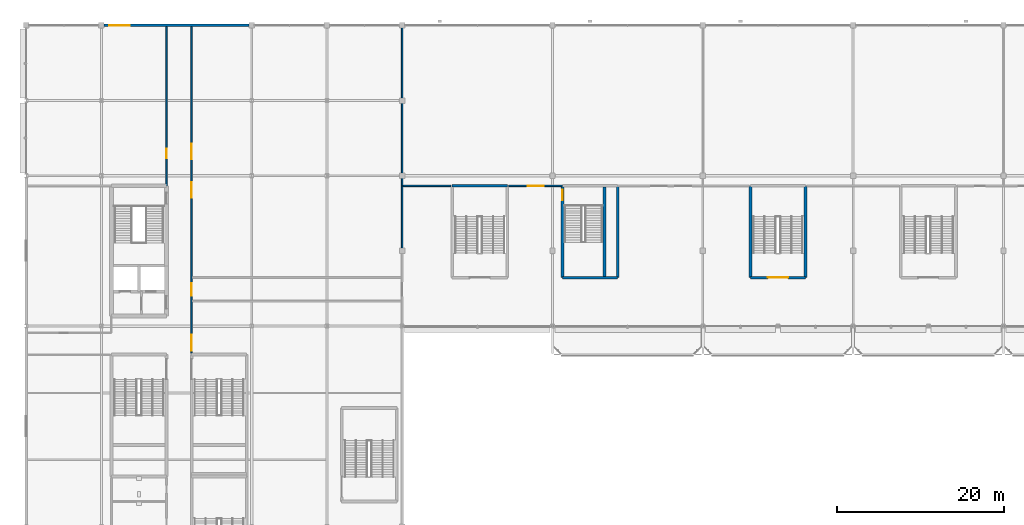
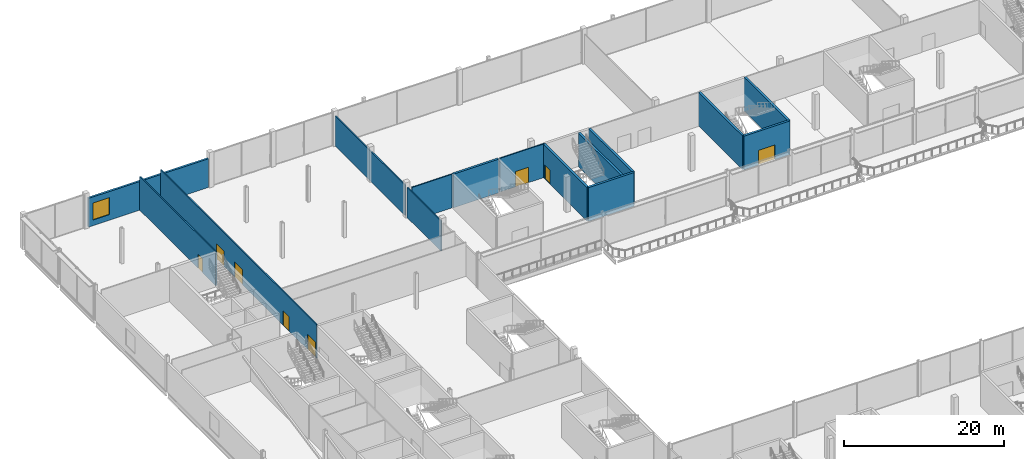
# One storey, part 67 of 113: 15 walls, 8 doors, 1 window, 9 openings.
"""IFC4 building model written with IfcOpenShell, lengths in metres."""

from ifc_helpers import new_model, si_unit, direction, frame, frame_2d, origin, place, context, subcontext, project, spatial, rectangle, extrude, material, layer, layer_set, type_object, element, fill, save


model = new_model("IFC4")

# Units and contexts
model_context = context("Model", 3, precision=1e-05, world=origin(), true_north=direction((0.0, 1.0)))
body_context = subcontext(model_context, "Body", "Model", "MODEL_VIEW")
ifc_project = project(units=[si_unit("LENGTHUNIT", "METRE"), si_unit("AREAUNIT", "SQUARE_METRE"), si_unit("VOLUMEUNIT", "CUBIC_METRE"), si_unit("PLANEANGLEUNIT", "RADIAN"), si_unit("MASSUNIT", "GRAM", prefix="KILO")], contexts=[model_context])

# Site, building, storey
site_placement = place(None, origin())
site = spatial("IfcSite", under=ifc_project, at=site_placement, CompositionType="ELEMENT")
building_placement = place(site_placement, origin())
building = spatial("IfcBuilding", under=site, at=building_placement, Name="Kisiwana Market Hall", CompositionType="ELEMENT")
storey_placement = place(building_placement, frame((0.0, 0.0, 6.0)))
storey = spatial("IfcBuildingStorey", under=building, at=storey_placement, Name="L01", CompositionType="ELEMENT", Elevation=6.0)

# Wall
ifc_material_1 = material(Name="Concrete C40/50", Category="concrete")
ifc_layer_1 = layer(ifc_material_1, 0.320068359375, Name="Reinforced concrete shaft wall")
ifc_layer_set_1 = layer_set([ifc_layer_1], Name="WL-CORE-320")
wall_type_1 = type_object("IfcWallType", Name="WL-CORE-320", PredefinedType="SHEAR", material=ifc_layer_set_1)
wall_1_placement = place(storey_placement, frame((64.199951171875, 89.800048828125, 0.0), z_axis=(0.0, 0.0, 1.0), x_axis=(1.0, 0.0, 0.0)))
element("IfcWall", 1, at=wall_1_placement, inside=storey, type_object=wall_type_1, Name="Core N1 south wall W-0719", PredefinedType="SHEAR", context=body_context, shape_type="SweptSolid", body=[
    extrude(rectangle(XDim=6.60009765625, YDim=0.320068359375, at=frame_2d((3.300048828125, 0.0))), origin(), (0.0, 0.0, 1.0), 5.14990234375),
])

# Wall, opening, door
wall_2_placement = place(storey_placement, frame((64.199951171875, 89.800048828125, 0.0), z_axis=(0.0, 0.0, 1.0), x_axis=(0.0, 1.0, 0.0)))
wall_2 = element("IfcWall", 2, at=wall_2_placement, inside=storey, type_object=wall_type_1, Name="Core N1 west wall W-0721", PredefinedType="SHEAR", context=body_context, shape_type="SweptSolid", body=[
    extrude(rectangle(XDim=11.0, YDim=0.320068359375, at=frame_2d((5.5, 0.0))), origin(), (0.0, 0.0, 1.0), 5.14990234375),
])
opening_1_placement = place(wall_2_placement, frame((9.25, 0.0, 0.0)))
opening_1 = element("IfcOpeningElement", 3, at=opening_1_placement, cuts=wall_2, Name="Opening DR-L01-016", PredefinedType="OPENING", context=body_context, shape_type="SweptSolid", body=[
    extrude(rectangle(XDim=1.300048828125, YDim=2.199951171875, at=frame_2d((0.64990234375, 1.10009765625))), frame((0.0, 0.171875, 0.0), z_axis=(0.0, -1.0, 0.0), x_axis=(1.0, 0.0, 0.0)), (0.0, 0.0, 1.0), 0.343994140625),
])
ifc_material_2 = material(Name="Steel S275", Category="steel")
door_type_1 = type_object("IfcDoorType", Name="DR-STAIR-FD120-1300", OperationType="NOTDEFINED", PredefinedType="DOOR", material=ifc_material_2)
door_1_placement = place(opening_1_placement, origin())
door_1 = element("IfcDoor", 4, at=door_1_placement, inside=storey, type_object=door_type_1, Name="Podium Escape Stair N1 Fire Door (L01)", OperationType="SINGLE_SWING_RIGHT", OverallHeight=2.199951171875, OverallWidth=1.300048828125, PredefinedType="DOOR", context=body_context, shape_type="SweptSolid", body=[
    extrude(rectangle(XDim=1.300048828125, YDim=2.199951171875, at=frame_2d((0.64990234375, 1.10009765625))), frame((0.0, 0.02490234375, 0.0), z_axis=(0.0, -1.0, 0.0), x_axis=(1.0, 0.0, 0.0)), (0.0, 0.0, 1.0), 0.050048828125),
])
fill(opening_1, door_1)

# Walls
wall_3_placement = place(storey_placement, frame((70.800048828125, 89.800048828125, 0.0), z_axis=(0.0, 0.0, 1.0), x_axis=(0.0, 1.0, 0.0)))
element("IfcWall", 5, at=wall_3_placement, inside=storey, type_object=wall_type_1, Name="Core N1 east wall W-0722", PredefinedType="SHEAR", context=body_context, shape_type="SweptSolid", body=[
    extrude(rectangle(XDim=11.0, YDim=0.320068359375, at=frame_2d((5.5, 0.0))), origin(), (0.0, 0.0, 1.0), 5.14990234375),
])
wall_4_placement = place(storey_placement, frame((69.219970703125, 89.9599609375, 0.0), z_axis=(0.0, 0.0, 1.0), x_axis=(0.0, 1.0, 0.0)))
element("IfcWall", 6, at=wall_4_placement, inside=storey, type_object=wall_type_1, Name="Core N1 shaft divider W-0723", PredefinedType="SHEAR", context=body_context, shape_type="SweptSolid", body=[
    extrude(rectangle(XDim=10.679931640625, YDim=0.320068359375, at=frame_2d((5.33984375, 0.0))), origin(), (0.0, 0.0, 1.0), 5.14990234375),
])
wall_5_placement = place(storey_placement, frame((51.0, 100.800048828125, 0.0), z_axis=(0.0, 0.0, 1.0), x_axis=(1.0, 0.0, 0.0)))
element("IfcWall", 7, at=wall_5_placement, inside=storey, type_object=wall_type_1, Name="Core N3 outer shear wall W-0799", PredefinedType="SHEAR", context=body_context, shape_type="SweptSolid", body=[
    extrude(rectangle(XDim=6.60009765625, YDim=0.320068359375, at=frame_2d((3.300048828125, 0.0))), origin(), (0.0, 0.0, 1.0), 5.14990234375),
])

# Wall, opening, door
wall_6_placement = place(storey_placement, frame((86.699951171875, 89.800048828125, 0.0), z_axis=(0.0, 0.0, 1.0), x_axis=(1.0, 0.0, 0.0)))
wall_6 = element("IfcWall", 8, at=wall_6_placement, inside=storey, type_object=wall_type_1, Name="Core N4 corridor shear wall W-0806", PredefinedType="SHEAR", context=body_context, shape_type="SweptSolid", body=[
    extrude(rectangle(XDim=6.60009765625, YDim=0.320068359375, at=frame_2d((3.300048828125, 0.0))), origin(), (0.0, 0.0, 1.0), 5.14990234375),
])
opening_2_placement = place(wall_6_placement, frame((2.10009765625, 0.0, 0.0)))
opening_2 = element("IfcOpeningElement", 9, at=opening_2_placement, cuts=wall_6, Name="Opening DR-L01-036", PredefinedType="OPENING", context=body_context, shape_type="SweptSolid", body=[
    extrude(rectangle(XDim=2.39990234375, YDim=2.25, at=frame_2d((1.199951171875, 1.125))), frame((0.0, 0.171875, 0.0), z_axis=(0.0, -1.0, 0.0), x_axis=(1.0, 0.0, 0.0)), (0.0, 0.0, 1.0), 0.343994140625),
])
ifc_material_3 = material(Name="Steel S275", Category="steel")
door_type_2 = type_object("IfcDoorType", Name="DR-STAIR-FD120-2400", OperationType="DOUBLE_DOOR_SINGLE_SWING", PredefinedType="DOOR", material=ifc_material_3)
door_2_placement = place(opening_2_placement, origin())
door_2 = element("IfcDoor", 10, at=door_2_placement, inside=storey, type_object=door_type_2, Name="Escape Stair N4 Fire Door (L01)", OperationType="DOUBLE_DOOR_SINGLE_SWING", OverallHeight=2.25, OverallWidth=2.39990234375, PredefinedType="DOOR", context=body_context, shape_type="SweptSolid", body=[
    extrude(rectangle(XDim=2.39990234375, YDim=2.25, at=frame_2d((1.199951171875, 1.125))), frame((0.0, 0.02490234375, 0.0), z_axis=(0.0, -1.0, 0.0), x_axis=(1.0, 0.0, 0.0)), (0.0, 0.0, 1.0), 0.050048828125),
])
fill(opening_2, door_2)

# Walls
for number, where, z_axis, x_axis, name in (
    (11, (86.699951171875, 89.800048828125, 0.0), (0.0, 0.0, 1.0), (0.0, 1.0, 0.0), "Core N4 west shear wall W-0808"),
    (12, (93.300048828125, 89.800048828125, 0.0), (0.0, 0.0, 1.0), (0.0, 1.0, 0.0), "Core N4 east shear wall W-0809"),
):
    element("IfcWall", number, at=place(storey_placement, frame(where, z_axis=z_axis, x_axis=x_axis)), inside=storey, type_object=wall_type_1, Name=name, PredefinedType="SHEAR", context=body_context, shape_type="SweptSolid", body=[
        extrude(rectangle(XDim=11.0, YDim=0.320068359375, at=frame_2d((5.5, 0.0))), origin(), (0.0, 0.0, 1.0), 5.14990234375),
    ])

# Wall, opening, door
ifc_material_4 = material(Name="Masonry blockwork", Category="masonry")
ifc_layer_2 = layer(ifc_material_4, 0.169921875, Name="Protected corridor partition")
ifc_layer_set_2 = layer_set([ifc_layer_2], Name="WL-CORR-170")
wall_type_2 = type_object("IfcWallType", Name="WL-CORR-170", PredefinedType="PARTITIONING", material=ifc_layer_set_2)
wall_7_placement = place(storey_placement, frame((16.800048828125, 100.800048828125, 0.0), z_axis=(0.0, 0.0, 1.0), x_axis=(0.0, 1.0, 0.0)))
wall_7 = element("IfcWall", 13, at=wall_7_placement, inside=storey, type_object=wall_type_2, Name="Interior partition W-0859", PredefinedType="PARTITIONING", context=body_context, shape_type="SweptSolid", body=[
    extrude(rectangle(XDim=19.04248046875, YDim=0.169921875, at=frame_2d((9.521240234375, 0.0))), origin(), (0.0, 0.0, 1.0), 5.14990234375),
])
opening_3_placement = place(wall_7_placement, frame((3.300048828125, 0.0, 0.0)))
opening_3 = element("IfcOpeningElement", 14, at=opening_3_placement, cuts=wall_7, Name="Opening DR-L01-048", PredefinedType="OPENING", context=body_context, shape_type="SweptSolid", body=[
    extrude(rectangle(XDim=1.14990234375, YDim=2.14990234375, at=frame_2d((0.574951171875, 1.074951171875))), frame((0.0, 0.096923828125, 0.0), z_axis=(0.0, -1.0, 0.0), x_axis=(1.0, 0.0, 0.0)), (0.0, 0.0, 1.0), 0.19384765625),
])
ifc_material_5 = material(Name="Aluminium alloy 6063-T6", Category="aluminium")
door_type_3 = type_object("IfcDoorType", Name="DR-MEET-1150", OperationType="NOTDEFINED", PredefinedType="DOOR", material=ifc_material_5)
door_3_placement = place(opening_3_placement, origin())
door_3 = element("IfcDoor", 15, at=door_3_placement, inside=storey, type_object=door_type_3, Name="L01 W Corner Office Suite North Door", OperationType="SINGLE_SWING_LEFT", OverallHeight=2.14990234375, OverallWidth=1.14990234375, PredefinedType="DOOR", context=body_context, shape_type="SweptSolid", body=[
    extrude(rectangle(XDim=1.14990234375, YDim=2.14990234375, at=frame_2d((0.574951171875, 1.074951171875))), frame((0.0, 0.02490234375, 0.0), z_axis=(0.0, -1.0, 0.0), x_axis=(1.0, 0.0, 0.0)), (0.0, 0.0, 1.0), 0.050048828125),
])
fill(opening_3, door_3)

# Wall, openings, doors
wall_8_placement = place(storey_placement, frame((19.800048828125, 80.760009765625, 0.0), z_axis=(0.0, 0.0, 1.0), x_axis=(0.0, 1.0, 0.0)))
wall_8 = element("IfcWall", 16, at=wall_8_placement, inside=storey, type_object=wall_type_2, Name="Interior partition W-0866", PredefinedType="PARTITIONING", context=body_context, shape_type="SweptSolid", body=[
    extrude(rectangle(XDim=39.08251953125, YDim=0.169921875, at=frame_2d((19.541259765625, 0.0))), origin(), (0.0, 0.0, 1.0), 5.14990234375),
])
opening_4_placement = place(wall_8_placement, frame((6.89111328125, 0.0, 0.0)))
opening_4 = element("IfcOpeningElement", 17, at=opening_4_placement, cuts=wall_8, Name="Opening DR-L01-053", PredefinedType="OPENING", context=body_context, shape_type="SweptSolid", body=[
    extrude(rectangle(XDim=1.5, YDim=2.199951171875, at=frame_2d((0.75, 1.10009765625))), frame((0.0, 0.096923828125, 0.0), z_axis=(0.0, -1.0, 0.0), x_axis=(1.0, 0.0, 0.0)), (0.0, 0.0, 1.0), 0.19384765625),
])
opening_5_placement = place(wall_8_placement, frame((23.19091796875, 0.0, 0.0)))
opening_5 = element("IfcOpeningElement", 18, at=opening_5_placement, cuts=wall_8, Name="Opening DR-L01-054", PredefinedType="OPENING", context=body_context, shape_type="SweptSolid", body=[
    extrude(rectangle(XDim=1.89990234375, YDim=2.35009765625, at=frame_2d((0.949951171875, 1.175048828125))), frame((0.0, 0.096923828125, 0.0), z_axis=(0.0, -1.0, 0.0), x_axis=(1.0, 0.0, 0.0)), (0.0, 0.0, 1.0), 0.19384765625),
])
opening_6_placement = place(wall_8_placement, frame((18.591064453125, 0.0, 0.0)))
opening_6 = element("IfcOpeningElement", 19, at=opening_6_placement, cuts=wall_8, Name="Opening DR-L01-055", PredefinedType="OPENING", context=body_context, shape_type="SweptSolid", body=[
    extrude(rectangle(XDim=1.89990234375, YDim=2.35009765625, at=frame_2d((0.949951171875, 1.175048828125))), frame((0.0, 0.096923828125, 0.0), z_axis=(0.0, -1.0, 0.0), x_axis=(1.0, 0.0, 0.0)), (0.0, 0.0, 1.0), 0.19384765625),
])
opening_7_placement = place(wall_8_placement, frame((0.300048828125, 0.0, 0.0)))
opening_7 = element("IfcOpeningElement", 20, at=opening_7_placement, cuts=wall_8, Name="Opening DR-L01-056", PredefinedType="OPENING", context=body_context, shape_type="SweptSolid", body=[
    extrude(rectangle(XDim=1.89990234375, YDim=2.35009765625, at=frame_2d((0.949951171875, 1.175048828125))), frame((0.0, 0.096923828125, 0.0), z_axis=(0.0, -1.0, 0.0), x_axis=(1.0, 0.0, 0.0)), (0.0, 0.0, 1.0), 0.19384765625),
])
ifc_material_6 = material(Name="Steel S275", Category="steel")
door_type_4 = type_object("IfcDoorType", Name="DR-CORR-FD60-1500", OperationType="DOUBLE_DOOR_SINGLE_SWING", PredefinedType="DOOR", material=ifc_material_6)
door_4_placement = place(opening_4_placement, origin())
door_4 = element("IfcDoor", 21, at=door_4_placement, inside=storey, type_object=door_type_4, Name="L01 W North Mezzanine Link Corridor Door", OperationType="DOUBLE_DOOR_SINGLE_SWING", OverallHeight=2.199951171875, OverallWidth=1.5, PredefinedType="DOOR", context=body_context, shape_type="SweptSolid", body=[
    extrude(rectangle(XDim=1.5, YDim=2.199951171875, at=frame_2d((0.75, 1.10009765625))), frame((0.0, 0.02490234375, 0.0), z_axis=(0.0, -1.0, 0.0), x_axis=(1.0, 0.0, 0.0)), (0.0, 0.0, 1.0), 0.050048828125),
])
fill(opening_4, door_4)
ifc_material_7 = material(Name="Steel S275", Category="steel")
door_type_5 = type_object("IfcDoorType", Name="DR-HALL-1900", OperationType="DOUBLE_DOOR_SINGLE_SWING", PredefinedType="DOOR", material=ifc_material_7)
door_5_placement = place(opening_5_placement, frame((1.89990234375, 0.0, 0.0), z_axis=(0.0, 0.0, 1.0), x_axis=(-1.0, 0.0, 0.0)))
door_5 = element("IfcDoor", 22, at=door_5_placement, inside=storey, type_object=door_type_5, Name="L01 W Food Court North Dining Hall Door", OperationType="DOUBLE_DOOR_SINGLE_SWING", OverallHeight=2.35009765625, OverallWidth=1.89990234375, PredefinedType="DOOR", context=body_context, shape_type="SweptSolid", body=[
    extrude(rectangle(XDim=1.89990234375, YDim=2.35009765625, at=frame_2d((0.949951171875, 1.175048828125))), frame((0.0, 0.02490234375, 0.0), z_axis=(0.0, -1.0, 0.0), x_axis=(1.0, 0.0, 0.0)), (0.0, 0.0, 1.0), 0.050048828125),
])
fill(opening_5, door_5)
door_6_placement = place(opening_6_placement, frame((1.89990234375, 0.0, 0.0), z_axis=(0.0, 0.0, 1.0), x_axis=(-1.0, 0.0, 0.0)))
door_6 = element("IfcDoor", 23, at=door_6_placement, inside=storey, type_object=door_type_5, Name="L01 W Hawker Culinary Gallery Door", OperationType="DOUBLE_DOOR_SINGLE_SWING", OverallHeight=2.35009765625, OverallWidth=1.89990234375, PredefinedType="DOOR", context=body_context, shape_type="SweptSolid", body=[
    extrude(rectangle(XDim=1.89990234375, YDim=2.35009765625, at=frame_2d((0.949951171875, 1.175048828125))), frame((0.0, 0.02490234375, 0.0), z_axis=(0.0, -1.0, 0.0), x_axis=(1.0, 0.0, 0.0)), (0.0, 0.0, 1.0), 0.050048828125),
])
fill(opening_6, door_6)
door_7_placement = place(opening_7_placement, frame((1.89990234375, 0.0, 0.0), z_axis=(0.0, 0.0, 1.0), x_axis=(-1.0, 0.0, 0.0)))
door_7 = element("IfcDoor", 24, at=door_7_placement, inside=storey, type_object=door_type_5, Name="L01 W Central Dishwashing and Servery Door", OperationType="DOUBLE_DOOR_SINGLE_SWING", OverallHeight=2.35009765625, OverallWidth=1.89990234375, PredefinedType="DOOR", context=body_context, shape_type="SweptSolid", body=[
    extrude(rectangle(XDim=1.89990234375, YDim=2.35009765625, at=frame_2d((0.949951171875, 1.175048828125))), frame((0.0, 0.02490234375, 0.0), z_axis=(0.0, -1.0, 0.0), x_axis=(1.0, 0.0, 0.0)), (0.0, 0.0, 1.0), 0.050048828125),
])
fill(opening_7, door_7)

# Walls
wall_9_placement = place(storey_placement, frame((45.0, 93.219970703125, 0.0), z_axis=(0.0, 0.0, 1.0), x_axis=(0.0, 1.0, 0.0)))
element("IfcWall", 25, at=wall_9_placement, inside=storey, type_object=wall_type_2, Name="Interior partition W-0871", PredefinedType="PARTITIONING", context=body_context, shape_type="SweptSolid", body=[
    extrude(rectangle(XDim=8.56005859375, YDim=0.169921875, at=frame_2d((4.280029296875, 0.0))), origin(), (0.0, 0.0, 1.0), 4.616943359375),
])
wall_10_placement = place(storey_placement, frame((45.0, 102.219970703125, 0.0), z_axis=(0.0, 0.0, 1.0), x_axis=(0.0, 1.0, 0.0)))
element("IfcWall", 26, at=wall_10_placement, inside=storey, type_object=wall_type_2, Name="Interior partition W-0872", PredefinedType="PARTITIONING", context=body_context, shape_type="SweptSolid", body=[
    extrude(rectangle(XDim=17.56005859375, YDim=0.169921875, at=frame_2d((8.780029296875, 0.0))), origin(), (0.0, 0.0, 1.0), 4.616943359375),
])
wall_11_placement = place(storey_placement, frame((45.0849609375, 100.800048828125, 0.0), z_axis=(0.0, 0.0, 1.0), x_axis=(1.0, 0.0, 0.0)))
element("IfcWall", 27, at=wall_11_placement, inside=storey, type_object=wall_type_2, Name="Interior partition W-0911", PredefinedType="PARTITIONING", context=body_context, shape_type="SweptSolid", body=[
    extrude(rectangle(XDim=5.755126953125, YDim=0.169921875, at=frame_2d((2.87744140625, 0.0))), origin(), (0.0, 0.0, 1.0), 5.14990234375),
])

# Wall, opening, door
wall_12_placement = place(storey_placement, frame((57.760009765625, 100.800048828125, 0.0), z_axis=(0.0, 0.0, 1.0), x_axis=(1.0, 0.0, 0.0)))
wall_12 = element("IfcWall", 28, at=wall_12_placement, inside=storey, type_object=wall_type_2, Name="Interior partition W-0912", PredefinedType="PARTITIONING", context=body_context, shape_type="SweptSolid", body=[
    extrude(rectangle(XDim=6.43994140625, YDim=0.169921875, at=frame_2d((3.219970703125, 0.0))), origin(), (0.0, 0.0, 1.0), 5.14990234375),
])
opening_8_placement = place(wall_12_placement, frame((2.27001953125, 0.0, 0.0)))
opening_8 = element("IfcOpeningElement", 29, at=opening_8_placement, cuts=wall_12, Name="Opening DR-L01-083", PredefinedType="OPENING", context=body_context, shape_type="SweptSolid", body=[
    extrude(rectangle(XDim=1.89990234375, YDim=2.35009765625, at=frame_2d((0.949951171875, 1.175048828125))), frame((0.0, 0.096923828125, 0.0), z_axis=(0.0, -1.0, 0.0), x_axis=(1.0, 0.0, 0.0)), (0.0, 0.0, 1.0), 0.19384765625),
])
door_8_placement = place(opening_8_placement, origin())
door_8 = element("IfcDoor", 30, at=door_8_placement, inside=storey, type_object=door_type_5, Name="L01 Food Court NW Hall Door", OperationType="DOUBLE_DOOR_SINGLE_SWING", OverallHeight=2.35009765625, OverallWidth=1.89990234375, PredefinedType="DOOR", context=body_context, shape_type="SweptSolid", body=[
    extrude(rectangle(XDim=1.89990234375, YDim=2.35009765625, at=frame_2d((0.949951171875, 1.175048828125))), frame((0.0, 0.02490234375, 0.0), z_axis=(0.0, -1.0, 0.0), x_axis=(1.0, 0.0, 0.0)), (0.0, 0.0, 1.0), 0.050048828125),
])
fill(opening_8, door_8)

# Wall, opening, window
ifc_material_8 = material(Name="Masonry blockwork", Category="masonry")
ifc_layer_3 = layer(ifc_material_8, 0.139892578125, Name="Rendered masonry outer leaf")
ifc_material_9 = material(Name="Mineral wool insulation")
ifc_layer_4 = layer(ifc_material_9, 0.074951171875, Name="Mineral wool cavity insulation")
ifc_material_10 = material(Name="Gypsum plasterboard")
ifc_layer_5 = layer(ifc_material_10, 0.074951171875, Name="Calcium silicate inner lining")
ifc_layer_set_3 = layer_set([ifc_layer_3, ifc_layer_4, ifc_layer_5], Name="WL-EXT-MAS-290")
wall_type_3 = type_object("IfcWallType", Name="WL-EXT-MAS-290", PredefinedType="STANDARD", material=ifc_layer_set_3)
wall_13_placement = place(storey_placement, frame((9.31689453125, 120.0, 0.0), z_axis=(0.0, 0.0, 1.0), x_axis=(1.0, 0.0, 0.0)))
wall_13 = element("IfcWall", 31, at=wall_13_placement, inside=storey, type_object=wall_type_3, Name="Exterior wall W-0828", PredefinedType="STANDARD", context=body_context, shape_type="SweptSolid", body=[
    extrude(rectangle(XDim=17.3662109375, YDim=0.2900390625, at=frame_2d((8.68310546875, 0.0))), origin(), (0.0, 0.0, 1.0), 4.3876953125),
])
opening_9_placement = place(wall_13_placement, frame((0.64990234375, 0.0, 0.85009765625)))
opening_9 = element("IfcOpeningElement", 32, at=opening_9_placement, cuts=wall_13, Name="Opening WN-11", PredefinedType="OPENING", context=body_context, shape_type="SweptSolid", body=[
    extrude(rectangle(XDim=2.39990234375, YDim=2.60009765625, at=frame_2d((1.199951171875, 1.300048828125))), frame((0.0, 0.156982421875, 0.0), z_axis=(0.0, -1.0, 0.0), x_axis=(1.0, 0.0, 0.0)), (0.0, 0.0, 1.0), 0.31396484375),
])
ifc_material_11 = material(Name="Double-glazed solar-control low-E IGU", Category="glass")
window_type = type_object("IfcWindowType", Name="WN-POD-2400x2600", PartitioningType="SINGLE_PANEL", PredefinedType="WINDOW", material=ifc_material_11)
window_placement = place(opening_9_placement, origin())
window = element("IfcWindow", 33, at=window_placement, inside=storey, type_object=window_type, Name="Exterior window WN-015", OverallHeight=2.60009765625, OverallWidth=2.39990234375, PartitioningType="SINGLE_PANEL", PredefinedType="WINDOW", context=body_context, shape_type="SweptSolid", body=[
    extrude(rectangle(XDim=2.39990234375, YDim=2.60009765625, at=frame_2d((1.199951171875, 1.300048828125))), frame((0.0, 0.030029296875, 0.0), z_axis=(0.0, -1.0, 0.0), x_axis=(1.0, 0.0, 0.0)), (0.0, 0.0, 1.0), 0.06005859375),
])
fill(opening_9, window)

save(model, "model.ifc")
